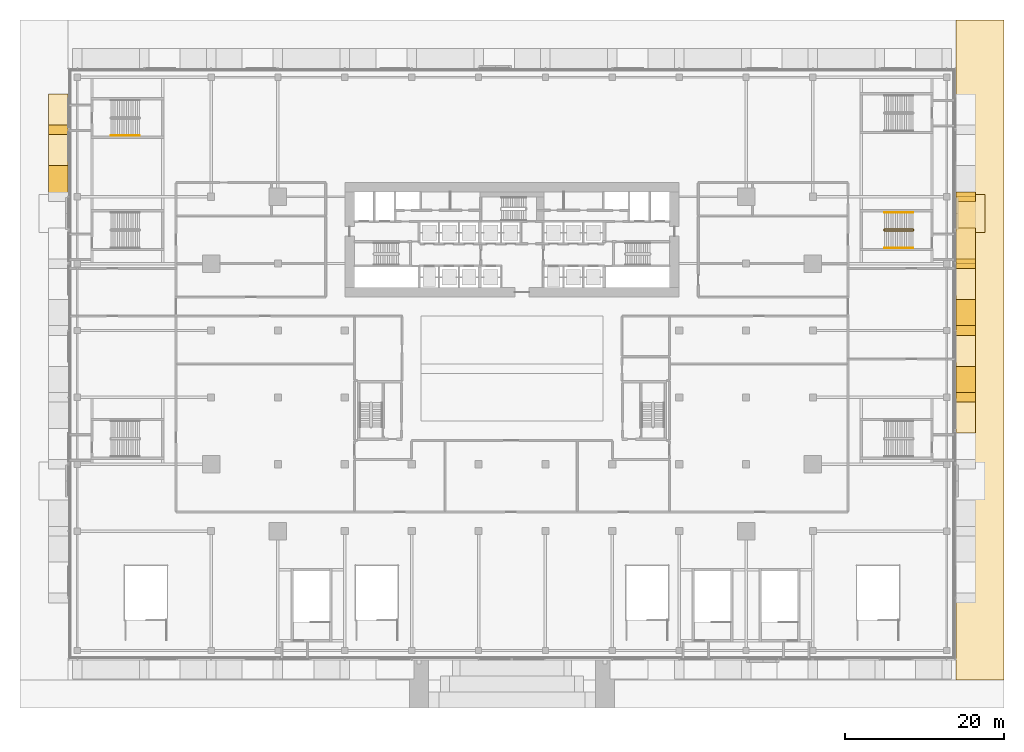
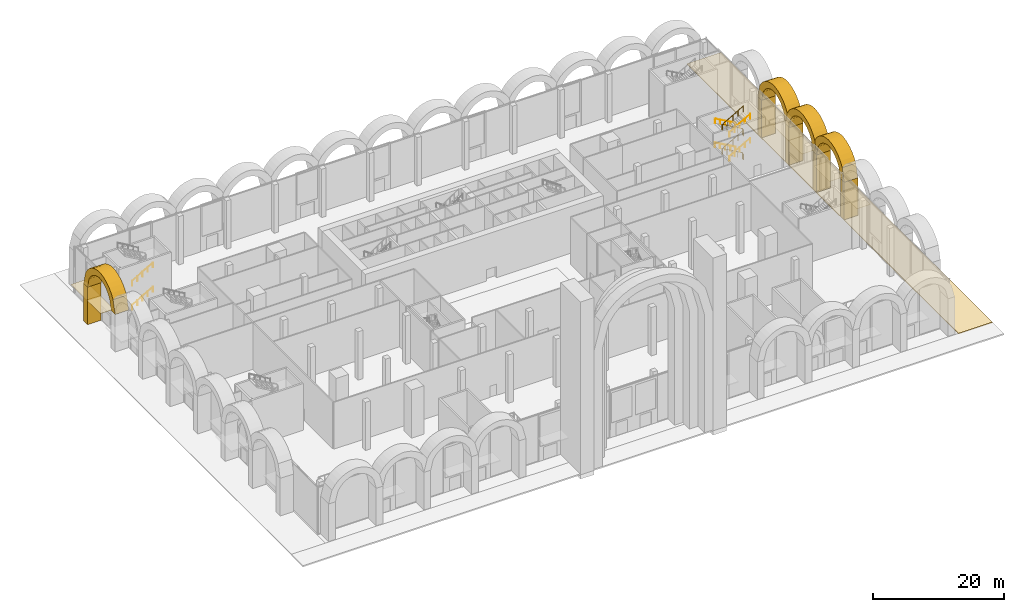
# One storey, part 40 of 43: 17 coverings, 7 railings.
"""IFC4 building model written with IfcOpenShell, lengths in metres."""

from ifc_helpers import new_model, si_unit, direction, frame, origin, origin_2d, place, context, subcontext, project, spatial, polyline, circle, outline, extrude, material, layer, layer_set, type_object, element, save


model = new_model("IFC4")

# Units and contexts
model_context = context("Model", 3, precision=1e-05, world=origin(), true_north=direction((0.0, 1.0)))
body_context = subcontext(model_context, "Body", "Model", "MODEL_VIEW")
ifc_project = project(units=[si_unit("LENGTHUNIT", "METRE"), si_unit("AREAUNIT", "SQUARE_METRE"), si_unit("VOLUMEUNIT", "CUBIC_METRE"), si_unit("PLANEANGLEUNIT", "RADIAN"), si_unit("MASSUNIT", "GRAM", prefix="KILO")], contexts=[model_context])

# Site, building, storey
site_placement = place(None, origin())
site = spatial("IfcSite", under=ifc_project, at=site_placement, CompositionType="ELEMENT")
building_placement = place(site_placement, origin())
building = spatial("IfcBuilding", under=site, at=building_placement, Name="Saffron Gate Tower", CompositionType="ELEMENT")
storey_placement = place(building_placement, origin())
storey = spatial("IfcBuildingStorey", under=building, at=storey_placement, Name="L00", CompositionType="ELEMENT", Elevation=0.0)

# Coverings
ifc_material_1 = material(Name="Cast stone cladding, pale limestone", Category="masonry")
ifc_layer_1 = layer(ifc_material_1, 1.199951171875)
ifc_layer_set_1 = layer_set([ifc_layer_1], Name="AR1 arcade pier")
covering_type_1 = type_object("IfcCoveringType", Name="AR1 arcade pier", PredefinedType="CLADDING", material=ifc_layer_set_1)
covering_1_placement = place(storey_placement, origin())
element("IfcCovering", 1, at=covering_1_placement, inside=storey, type_object=covering_type_1, Name="ARCADE PIER", PredefinedType="CLADDING", context=body_context, shape_type="SweptSolid", body=[
    extrude(outline(polyline([(143.39990234375, 48.0), (143.39990234375, 49.199951171875), (145.800048828125, 49.199951171875), (145.800048828125, 48.0), (143.39990234375, 48.0)])), origin(), (0.0, 0.0, 1.0), 7.0),
])
covering_2_placement = place(storey_placement, origin())
element("IfcCovering", 2, at=covering_2_placement, inside=storey, type_object=covering_type_1, Name="ARCADE PIER", PredefinedType="CLADDING", context=body_context, shape_type="SweptSolid", body=[
    extrude(outline(polyline([(143.39990234375, 56.39990234375), (143.39990234375, 57.60009765625), (145.800048828125, 57.60009765625), (145.800048828125, 56.39990234375), (143.39990234375, 56.39990234375)])), origin(), (0.0, 0.0, 1.0), 7.0),
])
covering_3_placement = place(storey_placement, origin())
element("IfcCovering", 3, at=covering_3_placement, inside=storey, type_object=covering_type_1, Name="ARCADE PIER", PredefinedType="CLADDING", context=body_context, shape_type="SweptSolid", body=[
    extrude(outline(polyline([(143.39990234375, 64.800048828125), (143.39990234375, 66.0), (145.800048828125, 66.0), (145.800048828125, 64.800048828125), (143.39990234375, 64.800048828125)])), origin(), (0.0, 0.0, 1.0), 7.0),
])
covering_4_placement = place(storey_placement, origin())
element("IfcCovering", 4, at=covering_4_placement, inside=storey, type_object=covering_type_1, Name="ARCADE PIER", PredefinedType="CLADDING", context=body_context, shape_type="SweptSolid", body=[
    extrude(outline(polyline([(143.39990234375, 73.199951171875), (143.39990234375, 74.39990234375), (145.800048828125, 74.39990234375), (145.800048828125, 73.199951171875), (143.39990234375, 73.199951171875)])), origin(), (0.0, 0.0, 1.0), 7.0),
])
covering_5_placement = place(storey_placement, origin())
element("IfcCovering", 5, at=covering_5_placement, inside=storey, type_object=covering_type_1, Name="ARCADE PIER", PredefinedType="CLADDING", context=body_context, shape_type="SweptSolid", body=[
    extrude(outline(polyline([(31.800048828125, 82.800048828125), (31.800048828125, 81.60009765625), (29.39990234375, 81.60009765625), (29.39990234375, 82.800048828125), (31.800048828125, 82.800048828125)])), origin(), (0.0, 0.0, 1.0), 7.0),
])
ifc_layer_2 = layer(ifc_material_1, 2.39990234375)
ifc_layer_set_2 = layer_set([ifc_layer_2], Name="AR2 arcade arch")
covering_type_2 = type_object("IfcCoveringType", Name="AR2 arcade arch", PredefinedType="CLADDING", material=ifc_layer_set_2)
covering_6_placement = place(storey_placement, frame((145.800048828125, 49.199951171875, 7.0), z_axis=(1.0, 0.0, 0.0), x_axis=(0.0, 0.239115028028, 0.970991247835)))
element("IfcCovering", 6, at=covering_6_placement, inside=storey, type_object=covering_type_2, Name="ARCADE ARCH", PredefinedType="CLADDING", context=body_context, shape_type="SweptSolid", body=[
    extrude(outline(polyline([(0.0, 0.0), (1.881735228381075, 0.0), (2.6469837228088364, -0.2751959895649837), (3.203325380232136, -0.6015856677150615), (3.6394784237266933, -0.9575728359066504), (3.990290439579541, -1.334575973358484), (4.272829633319021, -1.7283918862185135), (4.496636719042157, -2.1369225252012716), (4.667047284796835, -2.5583510865615673), (4.7118168931901065, -3.0107198248883336), (4.70324835930731, -3.4762235440027536), (4.63588933971578, -3.956204930829786), (4.50031587570327, -4.45323615147513), (4.2793430063566635, -4.971046282970603), (3.9381815230813135, -5.518453904507588), (3.3881715804938914, -6.117292273039781), (1.721616526260766, -6.991089572726843), (2.008601262047885, -8.156468716856415), (4.17216134140188, -7.005647442456348), (4.878523373773681, -6.213673843174959), (5.310430144923704, -5.489538670090807), (5.5839235204239435, -4.804162737112771), (5.743450178350844, -4.147103532584232), (5.8116509706907475, -3.512282681215563), (5.800200137231722, -2.897076734489788), (5.715793691149402, -2.300088175430116), (5.513273779136993, -1.7319346487703329), (5.237798254501289, -1.1819985097766537), (4.882612726374266, -0.6514402170157529), (4.436159710352636, -0.14335733582483634), (3.875739976757668, 0.336408816916582), (3.1569068475129147, 0.7774157295518843), (2.163618457046385, 1.1505842159899504), (-0.2869263580947294, 1.1651420857194545), (0.0, 0.0)])), origin(), (0.0, 0.0, -1.0), 2.39990234375),
])
covering_7_placement = place(storey_placement, frame((145.800048828125, 57.60009765625, 7.0), z_axis=(1.0, 0.0, 0.0), x_axis=(0.0, 0.239115028028, 0.970991247835)))
element("IfcCovering", 7, at=covering_7_placement, inside=storey, type_object=covering_type_2, Name="ARCADE ARCH", PredefinedType="CLADDING", context=body_context, shape_type="SweptSolid", body=[
    extrude(outline(polyline([(0.0, 0.0), (1.881735228381075, 0.0), (2.646925345116447, -0.2749589311548678), (3.203267002539746, -0.6013486093049456), (3.639420046034304, -0.9573357774965345), (3.990290439579541, -1.334575973358484), (4.272829633319021, -1.7283918862185135), (4.4965783413497675, -2.136685466791156), (4.666988907104446, -2.558114028151451), (4.711758515497717, -3.010482766478218), (4.70324835930731, -3.4762235440027536), (4.63588933971578, -3.956204930829786), (4.500257498010882, -4.452999093065014), (4.279284628664273, -4.970809224560487), (3.938123145388924, -5.518216846097472), (3.3881715804938914, -6.117292273039781), (1.721616526260766, -6.991089572726843), (2.0085428843554953, -8.156231658446298), (4.172102963709491, -7.005410384046232), (4.878523373773681, -6.213673843174959), (5.310371767231315, -5.489301611680691), (5.5839235204239435, -4.804162737112771), (5.743391800658454, -4.146866474174116), (5.811592592998358, -3.512045622805447), (5.800200137231722, -2.897076734489788), (5.715735313457013, -2.29985111702), (5.513273779136993, -1.7319346487703329), (5.237739876808899, -1.1817614513665375), (4.882554348681876, -0.651203158605637), (4.436159710352636, -0.14335733582483634), (3.8756815990652784, 0.3366458753266979), (3.1569068475129147, 0.7774157295518843), (2.1635600793539953, 1.1508212744000663), (-0.28698473578711897, 1.1653791441295704), (0.0, 0.0)])), origin(), (0.0, 0.0, -1.0), 2.39990234375),
])
covering_8_placement = place(storey_placement, frame((145.800048828125, 66.0, 7.0), z_axis=(1.0, 0.0, 0.0), x_axis=(0.0, 0.239115028028, 0.970991247835)))
element("IfcCovering", 8, at=covering_8_placement, inside=storey, type_object=covering_type_2, Name="ARCADE ARCH", PredefinedType="CLADDING", context=body_context, shape_type="SweptSolid", body=[
    extrude(outline(polyline([(0.0, 0.0), (1.881735228381075, 0.0), (2.646925345116447, -0.2749589311548678), (3.203325380232136, -0.6015856677150615), (3.6394784237266933, -0.9575728359066504), (3.990290439579541, -1.334575973358484), (4.272829633319021, -1.7283918862185135), (4.4965783413497675, -2.136685466791156), (4.667047284796835, -2.5583510865615673), (4.7118168931901065, -3.0107198248883336), (4.70324835930731, -3.4762235440027536), (4.63588933971578, -3.956204930829786), (4.500257498010882, -4.452999093065014), (4.2793430063566635, -4.971046282970603), (3.9381815230813135, -5.518453904507588), (3.3881715804938914, -6.117292273039781), (1.721616526260766, -6.991089572726843), (2.0085428843554953, -8.156231658446298), (4.17216134140188, -7.005647442456348), (4.878523373773681, -6.213673843174959), (5.310430144923704, -5.489538670090807), (5.5839235204239435, -4.804162737112771), (5.743391800658454, -4.146866474174116), (5.8116509706907475, -3.512282681215563), (5.800200137231722, -2.897076734489788), (5.715793691149402, -2.300088175430116), (5.513273779136993, -1.7319346487703329), (5.237739876808899, -1.1817614513665375), (4.882612726374266, -0.6514402170157529), (4.436159710352636, -0.14335733582483634), (3.875739976757668, 0.336408816916582), (3.1569068475129147, 0.7774157295518843), (2.1635600793539953, 1.1508212744000663), (-0.2869263580947294, 1.1651420857194545), (0.0, 0.0)])), origin(), (0.0, 0.0, -1.0), 2.39990234375),
])
covering_9_placement = place(storey_placement, frame((29.39990234375, 81.60009765625, 7.0), z_axis=(-1.0, 0.0, 0.0), x_axis=(0.0, -0.239237346473, 0.970961117683)))
element("IfcCovering", 9, at=covering_9_placement, inside=storey, type_object=covering_type_2, Name="ARCADE ARCH", PredefinedType="CLADDING", context=body_context, shape_type="SweptSolid", body=[
    extrude(outline(polyline([(0.0, 0.0), (1.8817936210051474, 0.0), (2.6470183695411396, -0.2748625343682679), (3.203401139395791, -0.6011821249482396), (3.6395990248106704, -0.9571143460609401), (3.990458530741687, -1.3340732870785366), (4.273105740640905, -1.7280906550741717), (4.496905881562616, -2.1363560457279465), (4.6673695353069125, -2.5577631363222815), (4.712196130366634, -3.010126231221047), (4.703686238248943, -3.4756310260603724), (4.636446092264326, -3.9558579456660814), (4.500876835137328, -4.452669190141585), (4.279969198526468, -4.970507154521985), (3.9388766774758355, -5.517957749435114), (3.388942177743862, -6.116865400559946), (1.7225556206533161, -6.9911096881612895), (2.0096287549104384, -8.156215619170132), (4.1730438427179735, -7.00512180004296), (4.879364508393852, -6.2132962743460105), (5.31112164584135, -5.488869646622356), (5.58452867913546, -4.80345926583334), (5.743972562952254, -4.1463799701936), (5.812093383376849, -3.5115505322869174), (5.800623457171799, -2.896583084012261), (5.716083398741931, -2.2993681117132256), (5.513491915359386, -1.7312401019492978), (5.237947114862605, -1.1813386702692357), (4.882694752625596, -0.6508251261129545), (4.436236142106971, -0.14303554179797584), (3.875697567000447, 0.3368970594759718), (3.1568088877405365, 0.7778134138152791), (2.163473495362826, 1.150856768073049), (-0.2870731342571223, 1.165105931008841), (0.0, 0.0)])), origin(), (0.0, 0.0, -1.0), 2.39990234375),
])
ifc_material_2 = material(Name="Bronze-anodised aluminium soffit panels", Category="aluminium")
ifc_layer_3 = layer(ifc_material_2, 0.030029296875)
ifc_layer_set_3 = layer_set([ifc_layer_3], Name="CE1 canopy soffit lining")
covering_type_3 = type_object("IfcCoveringType", Name="CE1 canopy soffit lining", PredefinedType="CEILING", material=ifc_layer_set_3)
covering_10_placement = place(storey_placement, frame((0.0, 0.0, 4.3701171875)))
element("IfcCovering", 10, at=covering_10_placement, inside=storey, type_object=covering_type_3, Name="ENTRANCE CANOPY soffit lining", PredefinedType="CEILING", context=body_context, shape_type="SweptSolid", body=[
    extrude(outline(polyline([(143.39990234375, 69.300048828125), (143.39990234375, 74.10009765625), (147.0, 74.10009765625), (147.0, 69.300048828125), (143.39990234375, 69.300048828125)])), origin(), (0.0, 0.0, 1.0), 0.02978515625),
])
covering_11_placement = place(storey_placement, frame((0.0, 0.0, 4.3701171875)))
element("IfcCovering", 11, at=covering_11_placement, inside=storey, type_object=covering_type_3, Name="ENTRANCE CANOPY soffit lining", PredefinedType="CEILING", context=body_context, shape_type="SweptSolid", body=[
    extrude(outline(polyline([(143.39990234375, 52.5), (143.39990234375, 57.300048828125), (145.800048828125, 57.300048828125), (145.800048828125, 52.5), (143.39990234375, 52.5)])), origin(), (0.0, 0.0, 1.0), 0.02978515625),
])
covering_12_placement = place(storey_placement, frame((0.0, 0.0, 4.3701171875)))
element("IfcCovering", 12, at=covering_12_placement, inside=storey, type_object=covering_type_3, Name="ENTRANCE CANOPY soffit lining", PredefinedType="CEILING", context=body_context, shape_type="SweptSolid", body=[
    extrude(outline(polyline([(31.800048828125, 82.5), (31.800048828125, 77.699951171875), (29.39990234375, 77.699951171875), (29.39990234375, 82.5), (31.800048828125, 82.5)])), origin(), (0.0, 0.0, 1.0), 0.02978515625),
])
covering_13_placement = place(storey_placement, frame((0.0, 0.0, 4.3701171875)))
element("IfcCovering", 13, at=covering_13_placement, inside=storey, type_object=covering_type_3, Name="ENTRANCE CANOPY soffit lining", PredefinedType="CEILING", context=body_context, shape_type="SweptSolid", body=[
    extrude(outline(polyline([(143.39990234375, 44.10009765625), (143.39990234375, 48.89990234375), (145.800048828125, 48.89990234375), (145.800048828125, 44.10009765625), (143.39990234375, 44.10009765625)])), origin(), (0.0, 0.0, 1.0), 0.02978515625),
])
covering_14_placement = place(storey_placement, frame((0.0, 0.0, 4.3701171875)))
element("IfcCovering", 14, at=covering_14_placement, inside=storey, type_object=covering_type_3, Name="ENTRANCE CANOPY soffit lining", PredefinedType="CEILING", context=body_context, shape_type="SweptSolid", body=[
    extrude(outline(polyline([(143.39990234375, 60.89990234375), (143.39990234375, 65.699951171875), (145.800048828125, 65.699951171875), (145.800048828125, 60.89990234375), (143.39990234375, 60.89990234375)])), origin(), (0.0, 0.0, 1.0), 0.02978515625),
])
covering_15_placement = place(storey_placement, frame((0.0, 0.0, 4.3701171875)))
element("IfcCovering", 15, at=covering_15_placement, inside=storey, type_object=covering_type_3, Name="ENTRANCE CANOPY soffit lining", PredefinedType="CEILING", context=body_context, shape_type="SweptSolid", body=[
    extrude(outline(polyline([(31.800048828125, 86.699951171875), (31.800048828125, 81.89990234375), (29.39990234375, 81.89990234375), (29.39990234375, 86.699951171875), (31.800048828125, 86.699951171875)])), origin(), (0.0, 0.0, 1.0), 0.02978515625),
])
covering_16_placement = place(storey_placement, frame((0.0, 0.0, 4.3701171875)))
element("IfcCovering", 16, at=covering_16_placement, inside=storey, type_object=covering_type_3, Name="ENTRANCE CANOPY soffit lining", PredefinedType="CEILING", context=body_context, shape_type="SweptSolid", body=[
    extrude(outline(polyline([(143.39990234375, 65.10009765625), (143.39990234375, 69.89990234375), (145.800048828125, 69.89990234375), (145.800048828125, 65.10009765625), (143.39990234375, 65.10009765625)])), origin(), (0.0, 0.0, 1.0), 0.02978515625),
])

# Railings
ifc_material_3 = material(Name="Stainless steel and laminated glass", Category="steel")
railing_type_1 = type_object("IfcRailingType", Name="CR1 Stair guard 1100", PredefinedType="GUARDRAIL", material=ifc_material_3)
railing_1_placement = place(storey_placement, frame((138.050048828125, 69.52490234375, 0.0)))
element("IfcRailing", 17, at=railing_1_placement, inside=storey, type_object=railing_type_1, Name="L00 ST-J stair guard 1", PredefinedType="GUARDRAIL", context=body_context, shape_type="SweptSolid", body=[
    extrude(circle(Radius=0.02392578125, at=origin_2d()), frame((0.0, 0.0, 1.076171875), z_axis=(0.0, 1.0, 0.0), x_axis=(-1.0, 0.0, 0.0)), (0.0, 0.0, 1.0), 0.150146484375),
    extrude(circle(Radius=0.02392578125, at=origin_2d()), frame((0.0, 0.150146484375, 1.076171875), z_axis=(-0.285103605394, 0.285103605394, 0.91511303585), x_axis=(-0.707106781187, -0.707106781187, 0.0)), (0.0, 0.0, 1.0), 0.175537109375),
    extrude(circle(Radius=0.02392578125, at=origin_2d()), frame((-0.050048828125, 0.2001953125, 1.23681640625), z_axis=(-0.8672749571, 0.0, 0.497829437445), x_axis=(0.0, -1.0, 0.0)), (0.0, 0.0, 1.0), 4.197021484375),
    extrude(circle(Radius=0.02392578125, at=origin_2d()), frame((-3.68994140625, 0.2001953125, 3.326171875), z_axis=(-0.707106781187, -0.707106781187, 0.0), x_axis=(0.707106781187, -0.707106781187, 0.0)), (0.0, 0.0, 1.0), 0.07080078125),
    extrude(circle(Radius=0.02392578125, at=origin_2d()), frame((-3.739990234375, 0.150146484375, 3.326171875), z_axis=(0.0, -1.0, 0.0), x_axis=(1.0, 0.0, 0.0)), (0.0, 0.0, 1.0), 0.150146484375),
    extrude(circle(Radius=0.02392578125, at=origin_2d()), frame((-3.739990234375, 0.0, 3.326171875), z_axis=(0.285216442382, -0.283825142663, 0.915475215059), x_axis=(0.705375805398, 0.708833529934, 0.0)), (0.0, 0.0, 1.0), 0.175537109375),
    extrude(circle(Radius=0.02392578125, at=origin_2d()), frame((-3.68994140625, -0.0498046875, 3.48681640625), z_axis=(0.8672749571, 0.0, 0.497829437445), x_axis=(0.0, 1.0, 0.0)), (0.0, 0.0, 1.0), 4.197021484375),
    extrude(circle(Radius=0.02392578125, at=origin_2d()), frame((-0.050048828125, -0.0498046875, 5.576171875), z_axis=(0.708833529934, 0.705375805398, 0.0), x_axis=(-0.705375805398, 0.708833529934, 0.0)), (0.0, 0.0, 1.0), 0.070556640625),
    extrude(circle(Radius=0.02392578125, at=origin_2d()), frame((0.0, 0.0, 5.576171875), z_axis=(0.0, 1.0, 0.0), x_axis=(-1.0, 0.0, 0.0)), (0.0, 0.0, 1.0), 0.150146484375),
    extrude(circle(Radius=0.02392578125, at=origin_2d()), frame((0.0, 0.150146484375, 5.576171875), z_axis=(-0.285103605394, 0.285103605394, 0.91511303585), x_axis=(-0.707106781187, -0.707106781187, 0.0)), (0.0, 0.0, 1.0), 0.175537109375),
    extrude(circle(Radius=0.02392578125, at=origin_2d()), frame((-0.050048828125, 0.2001953125, 5.73681640625), z_axis=(-0.8672749571, 0.0, 0.497829437445), x_axis=(0.0, -1.0, 0.0)), (0.0, 0.0, 1.0), 4.197021484375),
    extrude(circle(Radius=0.02392578125, at=origin_2d()), frame((-3.68994140625, 0.2001953125, 7.826171875), z_axis=(-0.707106781187, -0.707106781187, 0.0), x_axis=(0.707106781187, -0.707106781187, 0.0)), (0.0, 0.0, 1.0), 0.07080078125),
    extrude(circle(Radius=0.02392578125, at=origin_2d()), frame((-3.739990234375, 0.150146484375, 7.826171875), z_axis=(0.0, -1.0, 0.0), x_axis=(1.0, 0.0, 0.0)), (0.0, 0.0, 1.0), 0.150146484375),
    extrude(circle(Radius=0.02392578125, at=origin_2d()), frame((-3.739990234375, 0.0, 7.826171875), z_axis=(0.285216442382, -0.283825142663, 0.915475215059), x_axis=(0.705375805398, 0.708833529934, 0.0)), (0.0, 0.0, 1.0), 0.175537109375),
    extrude(circle(Radius=0.02392578125, at=origin_2d()), frame((-3.68994140625, -0.0498046875, 7.98681640625), z_axis=(0.8672749571, 0.0, 0.497829437445), x_axis=(0.0, 1.0, 0.0)), (0.0, 0.0, 1.0), 4.197021484375),
    extrude(circle(Radius=0.02099609375, at=origin_2d()), origin(), (0.0, 0.0, 1.0), 1.052001953125),
    extrude(circle(Radius=0.02099609375, at=origin_2d()), frame((0.0, 0.150146484375, 0.0)), (0.0, 0.0, 1.0), 1.052001953125),
    extrude(circle(Radius=0.02099609375, at=origin_2d()), frame((-0.050048828125, 0.2001953125, 0.16064453125)), (0.0, 0.0, 1.0), 1.052001953125),
    extrude(circle(Radius=0.02099609375, at=origin_2d()), frame((-0.9599609375, 0.2001953125, 0.68310546875)), (0.0, 0.0, 1.0), 1.052001953125),
    extrude(circle(Radius=0.02099609375, at=origin_2d()), frame((-1.8701171875, 0.2001953125, 1.205322265625)), (0.0, 0.0, 1.0), 1.052001953125),
    extrude(circle(Radius=0.02099609375, at=origin_2d()), frame((-2.780029296875, 0.2001953125, 1.7275390625)), (0.0, 0.0, 1.0), 1.052001953125),
    extrude(circle(Radius=0.02099609375, at=origin_2d()), frame((-3.68994140625, 0.2001953125, 2.25)), (0.0, 0.0, 1.0), 1.052001953125),
    extrude(circle(Radius=0.02099609375, at=origin_2d()), frame((-3.739990234375, 0.150146484375, 2.25)), (0.0, 0.0, 1.0), 1.052001953125),
    extrude(circle(Radius=0.02099609375, at=origin_2d()), frame((-3.739990234375, 0.0, 2.25)), (0.0, 0.0, 1.0), 1.052001953125),
    extrude(circle(Radius=0.02099609375, at=origin_2d()), frame((-3.68994140625, -0.0498046875, 2.41064453125)), (0.0, 0.0, 1.0), 1.052001953125),
    extrude(circle(Radius=0.02099609375, at=origin_2d()), frame((-2.780029296875, -0.0498046875, 2.93310546875)), (0.0, 0.0, 1.0), 1.052001953125),
    extrude(circle(Radius=0.02099609375, at=origin_2d()), frame((-1.8701171875, -0.0498046875, 3.455322265625)), (0.0, 0.0, 1.0), 1.052001953125),
    extrude(circle(Radius=0.02099609375, at=origin_2d()), frame((-0.9599609375, -0.0498046875, 3.9775390625)), (0.0, 0.0, 1.0), 1.052001953125),
    extrude(circle(Radius=0.02099609375, at=origin_2d()), frame((-0.050048828125, -0.0498046875, 4.5)), (0.0, 0.0, 1.0), 1.052001953125),
    extrude(circle(Radius=0.02099609375, at=origin_2d()), frame((0.0, 0.0, 4.5)), (0.0, 0.0, 1.0), 1.052001953125),
    extrude(circle(Radius=0.02099609375, at=origin_2d()), frame((0.0, 0.150146484375, 4.5)), (0.0, 0.0, 1.0), 1.052001953125),
    extrude(circle(Radius=0.02099609375, at=origin_2d()), frame((-0.050048828125, 0.2001953125, 4.66064453125)), (0.0, 0.0, 1.0), 1.052001953125),
    extrude(circle(Radius=0.02099609375, at=origin_2d()), frame((-0.9599609375, 0.2001953125, 5.18310546875)), (0.0, 0.0, 1.0), 1.052001953125),
    extrude(circle(Radius=0.02099609375, at=origin_2d()), frame((-1.8701171875, 0.2001953125, 5.705322265625)), (0.0, 0.0, 1.0), 1.052001953125),
    extrude(circle(Radius=0.02099609375, at=origin_2d()), frame((-2.780029296875, 0.2001953125, 6.2275390625)), (0.0, 0.0, 1.0), 1.052001953125),
    extrude(circle(Radius=0.02099609375, at=origin_2d()), frame((-3.68994140625, 0.2001953125, 6.75)), (0.0, 0.0, 1.0), 1.052001953125),
    extrude(circle(Radius=0.02099609375, at=origin_2d()), frame((-3.739990234375, 0.150146484375, 6.75)), (0.0, 0.0, 1.0), 1.052001953125),
    extrude(circle(Radius=0.02099609375, at=origin_2d()), frame((-3.739990234375, 0.0, 6.75)), (0.0, 0.0, 1.0), 1.052001953125),
    extrude(circle(Radius=0.02099609375, at=origin_2d()), frame((-3.68994140625, -0.0498046875, 6.91064453125)), (0.0, 0.0, 1.0), 1.052001953125),
    extrude(circle(Radius=0.02099609375, at=origin_2d()), frame((-2.780029296875, -0.0498046875, 7.43310546875)), (0.0, 0.0, 1.0), 1.052001953125),
    extrude(circle(Radius=0.02099609375, at=origin_2d()), frame((-1.8701171875, -0.0498046875, 7.955322265625)), (0.0, 0.0, 1.0), 1.052001953125),
    extrude(circle(Radius=0.02099609375, at=origin_2d()), frame((-0.9599609375, -0.0498046875, 8.4775390625)), (0.0, 0.0, 1.0), 1.052001953125),
    extrude(circle(Radius=0.02099609375, at=origin_2d()), frame((-0.050048828125, -0.0498046875, 9.0)), (0.0, 0.0, 1.0), 1.052001953125),
])
ifc_material_4 = material(Name="Stainless steel", Category="steel")
railing_type_2 = type_object("IfcRailingType", Name="CR2 Stair handrail 900", PredefinedType="HANDRAIL", material=ifc_material_4)
for number, where, name in (
    (18, (37.199951171875, 81.47509765625, 0.16064453125), "L00 ST-F stair handrail 1"),
    (19, (37.199951171875, 81.47509765625, 4.66064453125), "L00 ST-F stair handrail 3"),
):
    element("IfcRailing", number, at=place(storey_placement, frame(where)), inside=storey, type_object=railing_type_2, Name=name, PredefinedType="HANDRAIL", context=body_context, shape_type="SweptSolid", body=[
        extrude(circle(Radius=0.02392578125, at=origin_2d()), frame((0.0, 0.0, 0.8759765625), z_axis=(0.867289372828, 0.0, 0.497804322781), x_axis=(0.0, 1.0, 0.0)), (0.0, 0.0, 1.0), 4.197021484375),
        extrude(circle(Radius=0.02099609375, at=origin_2d()), origin(), (0.0, 0.0, 1.0), 0.851806640625),
        extrude(circle(Radius=0.02099609375, at=origin_2d()), frame((0.91015625, 0.0, 0.5224609375)), (0.0, 0.0, 1.0), 0.851806640625),
        extrude(circle(Radius=0.02099609375, at=origin_2d()), frame((1.820068359375, 0.0, 1.044677734375)), (0.0, 0.0, 1.0), 0.851806640625),
        extrude(circle(Radius=0.02099609375, at=origin_2d()), frame((2.72998046875, 0.0, 1.56689453125)), (0.0, 0.0, 1.0), 0.851806640625),
        extrude(circle(Radius=0.02099609375, at=origin_2d()), frame((3.64013671875, 0.0, 2.08935546875)), (0.0, 0.0, 1.0), 0.851806640625),
    ])
railing_2_placement = place(storey_placement, frame((138.0, 71.824951171875, 0.16064453125)))
element("IfcRailing", 20, at=railing_2_placement, inside=storey, type_object=railing_type_2, Name="L00 ST-J stair handrail 1", PredefinedType="HANDRAIL", context=body_context, shape_type="SweptSolid", body=[
    extrude(circle(Radius=0.02392578125, at=origin_2d()), frame((0.0, 0.0, 0.8759765625), z_axis=(-0.8672749571, 0.0, 0.497829437445), x_axis=(0.0, -1.0, 0.0)), (0.0, 0.0, 1.0), 4.197021484375),
    extrude(circle(Radius=0.02099609375, at=origin_2d()), origin(), (0.0, 0.0, 1.0), 0.851806640625),
    extrude(circle(Radius=0.02099609375, at=origin_2d()), frame((-0.909912109375, 0.0, 0.5224609375)), (0.0, 0.0, 1.0), 0.851806640625),
    extrude(circle(Radius=0.02099609375, at=origin_2d()), frame((-1.81982421875, 0.0, 1.044677734375)), (0.0, 0.0, 1.0), 0.851806640625),
    extrude(circle(Radius=0.02099609375, at=origin_2d()), frame((-2.72998046875, 0.0, 1.56689453125)), (0.0, 0.0, 1.0), 0.851806640625),
    extrude(circle(Radius=0.02099609375, at=origin_2d()), frame((-3.639892578125, 0.0, 2.08935546875)), (0.0, 0.0, 1.0), 0.851806640625),
])
railing_3_placement = place(storey_placement, frame((134.360107421875, 67.375, 2.41064453125)))
element("IfcRailing", 21, at=railing_3_placement, inside=storey, type_object=railing_type_2, Name="L00 ST-J stair handrail 2", PredefinedType="HANDRAIL", context=body_context, shape_type="SweptSolid", body=[
    extrude(circle(Radius=0.02392578125, at=origin_2d()), frame((0.0, 0.0, 0.8759765625), z_axis=(0.8672749571, 0.0, 0.497829437445), x_axis=(0.0, 1.0, 0.0)), (0.0, 0.0, 1.0), 4.197021484375),
    extrude(circle(Radius=0.02099609375, at=origin_2d()), origin(), (0.0, 0.0, 1.0), 0.851806640625),
    extrude(circle(Radius=0.02099609375, at=origin_2d()), frame((0.909912109375, 0.0, 0.5224609375)), (0.0, 0.0, 1.0), 0.851806640625),
    extrude(circle(Radius=0.02099609375, at=origin_2d()), frame((1.81982421875, 0.0, 1.044677734375)), (0.0, 0.0, 1.0), 0.851806640625),
    extrude(circle(Radius=0.02099609375, at=origin_2d()), frame((2.72998046875, 0.0, 1.56689453125)), (0.0, 0.0, 1.0), 0.851806640625),
    extrude(circle(Radius=0.02099609375, at=origin_2d()), frame((3.639892578125, 0.0, 2.08935546875)), (0.0, 0.0, 1.0), 0.851806640625),
])
railing_4_placement = place(storey_placement, frame((138.0, 71.824951171875, 4.66064453125)))
element("IfcRailing", 22, at=railing_4_placement, inside=storey, type_object=railing_type_2, Name="L00 ST-J stair handrail 3", PredefinedType="HANDRAIL", context=body_context, shape_type="SweptSolid", body=[
    extrude(circle(Radius=0.02392578125, at=origin_2d()), frame((0.0, 0.0, 0.8759765625), z_axis=(-0.8672749571, 0.0, 0.497829437445), x_axis=(0.0, -1.0, 0.0)), (0.0, 0.0, 1.0), 4.197021484375),
    extrude(circle(Radius=0.02099609375, at=origin_2d()), origin(), (0.0, 0.0, 1.0), 0.851806640625),
    extrude(circle(Radius=0.02099609375, at=origin_2d()), frame((-0.909912109375, 0.0, 0.5224609375)), (0.0, 0.0, 1.0), 0.851806640625),
    extrude(circle(Radius=0.02099609375, at=origin_2d()), frame((-1.81982421875, 0.0, 1.044677734375)), (0.0, 0.0, 1.0), 0.851806640625),
    extrude(circle(Radius=0.02099609375, at=origin_2d()), frame((-2.72998046875, 0.0, 1.56689453125)), (0.0, 0.0, 1.0), 0.851806640625),
    extrude(circle(Radius=0.02099609375, at=origin_2d()), frame((-3.639892578125, 0.0, 2.08935546875)), (0.0, 0.0, 1.0), 0.851806640625),
])
railing_5_placement = place(storey_placement, frame((134.360107421875, 67.375, 6.91064453125)))
element("IfcRailing", 23, at=railing_5_placement, inside=storey, type_object=railing_type_2, Name="L00 ST-J stair handrail 4", PredefinedType="HANDRAIL", context=body_context, shape_type="SweptSolid", body=[
    extrude(circle(Radius=0.02392578125, at=origin_2d()), frame((0.0, 0.0, 0.8759765625), z_axis=(0.8672749571, 0.0, 0.497829437445), x_axis=(0.0, 1.0, 0.0)), (0.0, 0.0, 1.0), 4.197021484375),
    extrude(circle(Radius=0.02099609375, at=origin_2d()), origin(), (0.0, 0.0, 1.0), 0.851806640625),
    extrude(circle(Radius=0.02099609375, at=origin_2d()), frame((0.909912109375, 0.0, 0.5224609375)), (0.0, 0.0, 1.0), 0.851806640625),
    extrude(circle(Radius=0.02099609375, at=origin_2d()), frame((1.81982421875, 0.0, 1.044677734375)), (0.0, 0.0, 1.0), 0.851806640625),
    extrude(circle(Radius=0.02099609375, at=origin_2d()), frame((2.72998046875, 0.0, 1.56689453125)), (0.0, 0.0, 1.0), 0.851806640625),
    extrude(circle(Radius=0.02099609375, at=origin_2d()), frame((3.639892578125, 0.0, 2.08935546875)), (0.0, 0.0, 1.0), 0.851806640625),
])

# Covering
ifc_material_5 = material(Name="Sandstone paving on compacted base", Category="masonry")
ifc_layer_4 = layer(ifc_material_5, 0.14990234375)
ifc_layer_set_4 = layer_set([ifc_layer_4], Name="PV3 plaza paving")
covering_type_4 = type_object("IfcCoveringType", Name="PV3 plaza paving", PredefinedType="FLOORING", material=ifc_layer_set_4)
covering_17_placement = place(storey_placement, frame((0.0, 0.0, -0.14990234375)))
element("IfcCovering", 24, at=covering_17_placement, inside=storey, type_object=covering_type_4, Name="PAVING station plaza east", PredefinedType="FLOORING", context=body_context, shape_type="SweptSolid", body=[
    extrude(outline(polyline([(149.39990234375, 13.10009765625), (149.39990234375, 96.0), (143.39990234375, 96.0), (143.39990234375, 13.10009765625), (149.39990234375, 13.10009765625)])), origin(), (0.0, 0.0, 1.0), 0.14990234375),
])

save(model, "model.ifc")
